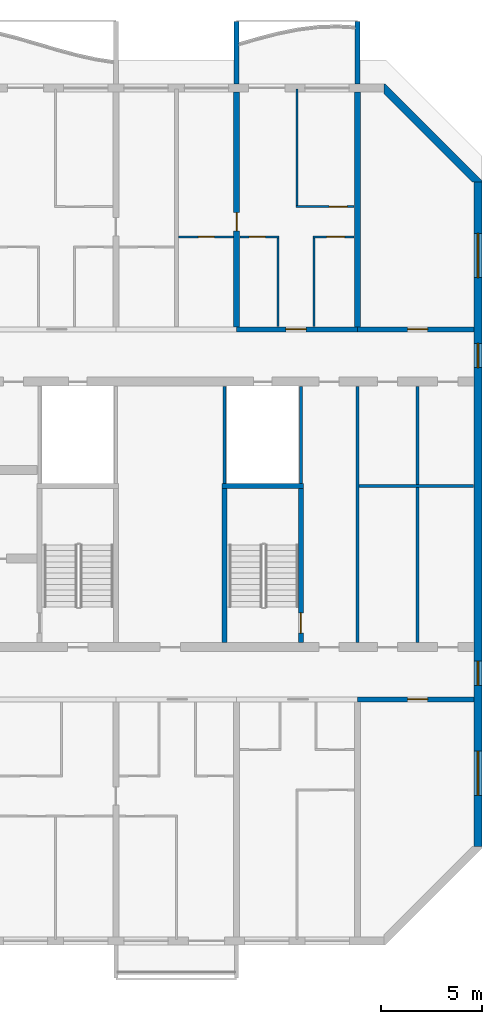
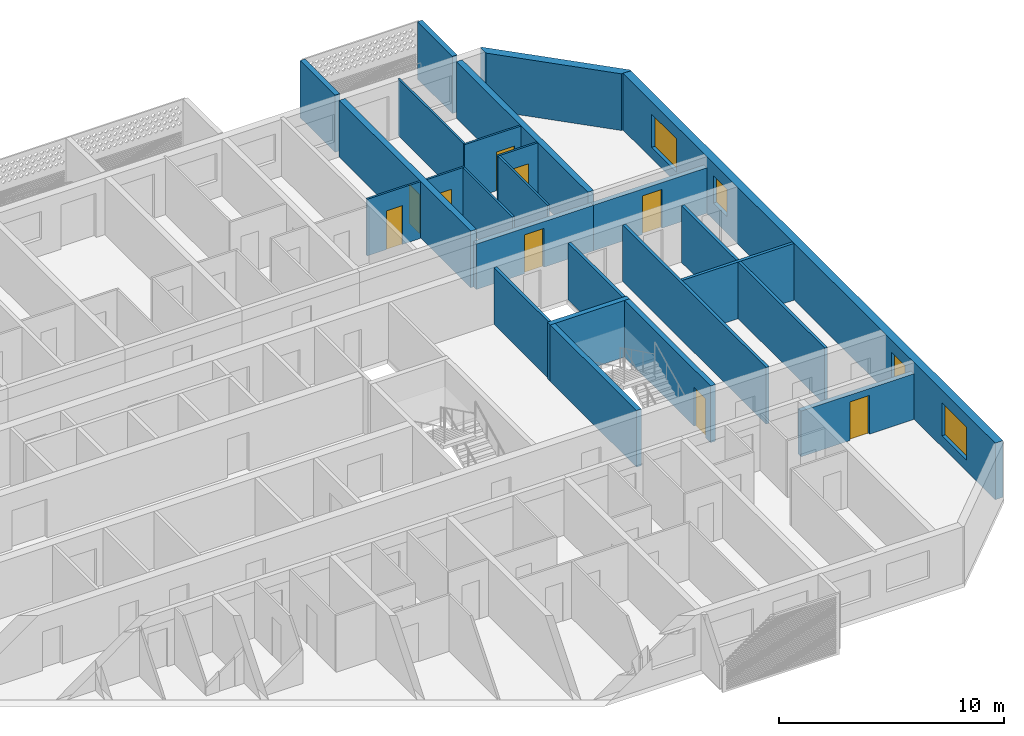
# One storey, part 12 of 32: 24 walls, 9 doors, 4 windows, 13 openings.
"""IFC4 building model written with IfcOpenShell, lengths in metres."""

from ifc_helpers import new_model, si_unit, direction, frame, frame_2d, origin, place, context, subcontext, project, spatial, polyline, rectangle, outline, extrude, source, transform, mapped, material, layer, layer_set, type_object, element, fill, save


model = new_model("IFC4")

# Units and contexts
model_context = context("Model", 3, precision=1e-05, world=origin(), true_north=direction((0.0, 1.0)))
body_context = subcontext(model_context, "Body", "Model", "MODEL_VIEW")
ifc_project = project(units=[si_unit("LENGTHUNIT", "METRE"), si_unit("AREAUNIT", "SQUARE_METRE"), si_unit("VOLUMEUNIT", "CUBIC_METRE"), si_unit("PLANEANGLEUNIT", "RADIAN"), si_unit("MASSUNIT", "GRAM", prefix="KILO")], contexts=[model_context])

# Site, building, storey
site_placement = place(None, origin())
site = spatial("IfcSite", under=ifc_project, at=site_placement, CompositionType="ELEMENT")
building_placement = place(site_placement, origin())
building = spatial("IfcBuilding", under=site, at=building_placement, Name="Poui Terraces", CompositionType="ELEMENT")
storey_placement = place(building_placement, frame((0.0, 0.0, 122.39990234375)))
storey = spatial("IfcBuildingStorey", under=building, at=storey_placement, Name="L33", CompositionType="ELEMENT", Elevation=122.39990234375)

# Wall
ifc_material_1 = material(Name="Fire-rated plasterboard wall")
ifc_layer_1 = layer(ifc_material_1, 0.14990234375)
ifc_layer_set_1 = layer_set([ifc_layer_1], Name="Fire-rated plasterboard wall")
wall_type_1 = type_object("IfcWallType", Name="CORRIDOR WALL 150", PredefinedType="PARTITIONING", material=ifc_layer_set_1)
wall_1_placement = place(storey_placement, frame((84.0, 14.8349609375, 0.0), z_axis=(0.0, 0.0, 1.0), x_axis=(0.0, 1.0, 0.0)))
element("IfcWall", 1, at=wall_1_placement, inside=storey, type_object=wall_type_1, Name="CORRIDOR WALL 150", PredefinedType="PARTITIONING", context=body_context, shape_type="SweptSolid", body=[
    extrude(rectangle(XDim=12.72998046875, YDim=0.14990234375, at=frame_2d((6.364990234375, 0.0))), origin(), (0.0, 0.0, 1.0), 3.070068359375),
])

# Wall, opening, door
ifc_material_2 = material(Name="Concrete 65 MPa", Category="concrete")
ifc_layer_2 = layer(ifc_material_2, 0.25)
ifc_layer_set_2 = layer_set([ifc_layer_2], Name="Concrete 65 MPa")
wall_type_2 = type_object("IfcWallType", Name="CORRIDOR WALL 250 65MPa", PredefinedType="SHEAR", material=ifc_layer_set_2)
wall_2_placement = place(storey_placement, frame((84.0, 12.0, 0.0), z_axis=(0.0, 0.0, 1.0), x_axis=(1.0, 0.0, 0.0)))
wall_2 = element("IfcWall", 2, at=wall_2_placement, inside=storey, type_object=wall_type_2, Name="CORRIDOR WALL LINE B BAY 13", PredefinedType="SHEAR", context=body_context, shape_type="SweptSolid", body=[
    extrude(rectangle(XDim=5.800048828125, YDim=0.25, at=frame_2d((2.89990234375, 0.0))), origin(), (0.0, 0.0, 1.0), 2.47021484375),
])
opening_1_placement = place(wall_2_placement, frame((2.5, 0.0, 0.0)))
opening_1 = element("IfcOpeningElement", 3, at=opening_1_placement, cuts=wall_2, Name="Opening D100", PredefinedType="OPENING", context=body_context, shape_type="SweptSolid", body=[
    extrude(rectangle(XDim=1.0, YDim=2.10009765625, at=frame_2d((0.5, 1.050048828125))), frame((0.0, 0.135009765625, 0.0), z_axis=(0.0, -1.0, 0.0), x_axis=(1.0, 0.0, 0.0)), (0.0, 0.0, 1.0), 0.27001953125),
])
ifc_material_3 = material(Name="Solid core timber door", Category="wood")
door_type_1 = type_object("IfcDoorType", Name="ACCESSIBLE INTERNAL DOOR 1000 X 2100", OperationType="NOTDEFINED", PredefinedType="DOOR", material=ifc_material_3)
door_1_placement = place(opening_1_placement, frame((1.0, 0.0, 0.0), z_axis=(0.0, 0.0, 1.0), x_axis=(-1.0, 0.0, 0.0)))
door_1 = element("IfcDoor", 4, at=door_1_placement, inside=storey, type_object=door_type_1, Name="ACCESSIBLE INTERNAL DOOR 120", OperationType="SINGLE_SWING_RIGHT", OverallHeight=2.10009765625, OverallWidth=1.0, PredefinedType="DOOR", context=body_context, shape_type="SweptSolid", body=[
    extrude(rectangle(XDim=1.0, YDim=2.10009765625, at=frame_2d((0.5, 1.050048828125))), frame((0.0, 0.02490234375, 0.0), z_axis=(0.0, -1.0, 0.0), x_axis=(1.0, 0.0, 0.0)), (0.0, 0.0, 1.0), 0.050048828125),
])
fill(opening_1, door_1)

wall_3_placement = place(storey_placement, frame((78.0, 30.39990234375, 0.0), z_axis=(0.0, 0.0, 1.0), x_axis=(1.0, 0.0, 0.0)))
wall_3 = element("IfcWall", 5, at=wall_3_placement, inside=storey, type_object=wall_type_2, Name="CORRIDOR WALL LINE E BAY 12", PredefinedType="SHEAR", context=body_context, shape_type="SweptSolid", body=[
    extrude(rectangle(XDim=6.0, YDim=0.25, at=frame_2d((3.0, 0.0))), origin(), (0.0, 0.0, 1.0), 2.47021484375),
])
opening_2_placement = place(wall_3_placement, frame((2.449951171875, 0.0, 0.0)))
opening_2 = element("IfcOpeningElement", 6, at=opening_2_placement, cuts=wall_3, Name="Opening FD30S", PredefinedType="OPENING", context=body_context, shape_type="SweptSolid", body=[
    extrude(rectangle(XDim=1.0, YDim=2.10009765625, at=frame_2d((0.5, 1.050048828125))), frame((0.0, 0.135009765625, 0.0), z_axis=(0.0, -1.0, 0.0), x_axis=(1.0, 0.0, 0.0)), (0.0, 0.0, 1.0), 0.27001953125),
])
ifc_material_4 = material(Name="Steel fire door", Category="steel")
door_type_2 = type_object("IfcDoorType", Name="FLAT ENTRANCE DOOR 1000 X 2100", OperationType="NOTDEFINED", PredefinedType="DOOR", material=ifc_material_4)
door_2_placement = place(opening_2_placement, origin())
door_2 = element("IfcDoor", 7, at=door_2_placement, inside=storey, type_object=door_type_2, Name="FLAT ENTRANCE DOOR 074", OperationType="SINGLE_SWING_LEFT", OverallHeight=2.10009765625, OverallWidth=1.0, PredefinedType="DOOR", context=body_context, shape_type="SweptSolid", body=[
    extrude(rectangle(XDim=1.0, YDim=2.10009765625, at=frame_2d((0.5, 1.050048828125))), frame((0.0, 0.02490234375, 0.0), z_axis=(0.0, -1.0, 0.0), x_axis=(1.0, 0.0, 0.0)), (0.0, 0.0, 1.0), 0.050048828125),
])
fill(opening_2, door_2)

wall_4_placement = place(storey_placement, frame((84.0, 30.39990234375, 0.0), z_axis=(0.0, 0.0, 1.0), x_axis=(1.0, 0.0, 0.0)))
wall_4 = element("IfcWall", 8, at=wall_4_placement, inside=storey, type_object=wall_type_2, Name="CORRIDOR WALL LINE E BAY 13", PredefinedType="SHEAR", context=body_context, shape_type="SweptSolid", body=[
    extrude(rectangle(XDim=5.800048828125, YDim=0.25, at=frame_2d((2.89990234375, 0.0))), origin(), (0.0, 0.0, 1.0), 2.47021484375),
])
opening_3_placement = place(wall_4_placement, frame((2.5, 0.0, 0.0)))
opening_3 = element("IfcOpeningElement", 9, at=opening_3_placement, cuts=wall_4, Name="Opening D100", PredefinedType="OPENING", context=body_context, shape_type="SweptSolid", body=[
    extrude(rectangle(XDim=1.0, YDim=2.10009765625, at=frame_2d((0.5, 1.050048828125))), frame((0.0, 0.135009765625, 0.0), z_axis=(0.0, -1.0, 0.0), x_axis=(1.0, 0.0, 0.0)), (0.0, 0.0, 1.0), 0.27001953125),
])
door_3_placement = place(opening_3_placement, origin())
door_3 = element("IfcDoor", 10, at=door_3_placement, inside=storey, type_object=door_type_1, Name="ACCESSIBLE INTERNAL DOOR 077", OperationType="SINGLE_SWING_LEFT", OverallHeight=2.10009765625, OverallWidth=1.0, PredefinedType="DOOR", context=body_context, shape_type="SweptSolid", body=[
    extrude(rectangle(XDim=1.0, YDim=2.10009765625, at=frame_2d((0.5, 1.050048828125))), frame((0.0, 0.02490234375, 0.0), z_axis=(0.0, -1.0, 0.0), x_axis=(1.0, 0.0, 0.0)), (0.0, 0.0, 1.0), 0.050048828125),
])
fill(opening_3, door_3)

ifc_layer_3 = layer(ifc_material_2, 0.300048828125)
ifc_layer_set_3 = layer_set([ifc_layer_3], Name="Concrete 65 MPa")
wall_type_3 = type_object("IfcWallType", Name="CROSS WALL 300 65MPa", PredefinedType="SHEAR", material=ifc_layer_set_3)
wall_5_placement = place(storey_placement, frame((78.0, 30.52490234375, 0.0), z_axis=(0.0, 0.0, 1.0), x_axis=(0.0, 1.0, 0.0)))
wall_5 = element("IfcWall", 11, at=wall_5_placement, inside=storey, type_object=wall_type_3, Name="CROSS WALL LINE 14 NORTH", PredefinedType="SHEAR", context=body_context, shape_type="SweptSolid", body=[
    extrude(rectangle(XDim=11.675048828125, YDim=0.300048828125, at=frame_2d((5.83740234375, 0.0))), origin(), (0.0, 0.0, 1.0), 3.070068359375),
])
opening_4_placement = place(wall_5_placement, frame((4.77490234375, 0.0, 0.0)))
opening_4 = element("IfcOpeningElement", 12, at=opening_4_placement, cuts=wall_5, Name="Opening D90", PredefinedType="OPENING", context=body_context, shape_type="SweptSolid", body=[
    extrude(rectangle(XDim=0.89990234375, YDim=2.10009765625, at=frame_2d((0.449951171875, 1.050048828125))), frame((0.0, 0.16015625, 0.0), z_axis=(0.0, -1.0, 0.0), x_axis=(1.0, 0.0, 0.0)), (0.0, 0.0, 1.0), 0.320068359375),
])
door_type_3 = type_object("IfcDoorType", Name="INTERNAL DOOR 900 X 2100", OperationType="NOTDEFINED", PredefinedType="DOOR", material=ifc_material_3)
door_4_placement = place(opening_4_placement, origin())
door_4 = element("IfcDoor", 13, at=door_4_placement, inside=storey, type_object=door_type_3, Name="INTERNAL DOOR 072", OperationType="SINGLE_SWING_LEFT", OverallHeight=2.10009765625, OverallWidth=0.89990234375, PredefinedType="DOOR", context=body_context, shape_type="SweptSolid", body=[
    extrude(rectangle(XDim=0.89990234375, YDim=2.10009765625, at=frame_2d((0.449951171875, 1.050048828125))), frame((0.0, 0.02490234375, 0.0), z_axis=(0.0, -1.0, 0.0), x_axis=(1.0, 0.0, 0.0)), (0.0, 0.0, 1.0), 0.050048828125),
])
fill(opening_4, door_4)

# Wall
wall_6_placement = place(storey_placement, frame((84.0, 30.52490234375, 0.0), z_axis=(0.0, 0.0, 1.0), x_axis=(0.0, 1.0, 0.0)))
element("IfcWall", 14, at=wall_6_placement, inside=storey, type_object=wall_type_3, Name="CROSS WALL LINE 15 NORTH", PredefinedType="SHEAR", context=body_context, shape_type="SweptSolid", body=[
    extrude(rectangle(XDim=11.675048828125, YDim=0.300048828125, at=frame_2d((5.83740234375, 0.0))), origin(), (0.0, 0.0, 1.0), 3.070068359375),
])

# Wall, openings, windows
ifc_layer_4 = layer(ifc_material_2, 0.39990234375)
ifc_layer_set_4 = layer_set([ifc_layer_4], Name="Concrete 65 MPa")
wall_type_4 = type_object("IfcWallType", Name="END WALL 400 65MPa", PredefinedType="SHEAR", material=ifc_layer_set_4)
wall_7_placement = place(storey_placement, frame((90.0, 4.682861328125, 0.0), z_axis=(0.0, 0.0, 1.0), x_axis=(0.0, 1.0, 0.0)))
wall_7 = element("IfcWall", 15, at=wall_7_placement, inside=storey, type_object=wall_type_4, Name="END WALL EAST", PredefinedType="SHEAR", context=body_context, shape_type="SweptSolid", body=[
    extrude(rectangle(XDim=33.034423828125, YDim=0.39990234375, at=frame_2d((16.51708984375, 0.0))), origin(), (0.0, 0.0, 1.0), 3.070068359375),
])
opening_5_placement = place(wall_7_placement, frame((23.817138671875, 0.0, 0.89990234375)))
opening_5 = element("IfcOpeningElement", 16, at=opening_5_placement, cuts=wall_7, Name="Opening W2", PredefinedType="OPENING", context=body_context, shape_type="SweptSolid", body=[
    extrude(rectangle(XDim=1.199951171875, YDim=1.5, at=frame_2d((0.60009765625, 0.75))), frame((0.0, 0.2099609375, 0.0), z_axis=(0.0, -1.0, 0.0), x_axis=(1.0, 0.0, 0.0)), (0.0, 0.0, 1.0), 0.419921875),
])
opening_6_placement = place(wall_7_placement, frame((8.01708984375, 0.0, 0.89990234375)))
opening_6 = element("IfcOpeningElement", 17, at=opening_6_placement, cuts=wall_7, Name="Opening W2", PredefinedType="OPENING", context=body_context, shape_type="SweptSolid", body=[
    extrude(rectangle(XDim=1.199951171875, YDim=1.5, at=frame_2d((0.60009765625, 0.75))), frame((0.0, 0.2099609375, 0.0), z_axis=(0.0, -1.0, 0.0), x_axis=(1.0, 0.0, 0.0)), (0.0, 0.0, 1.0), 0.419921875),
])
opening_7_placement = place(wall_7_placement, frame((28.29345703125, 0.0, 0.60009765625)))
opening_7 = element("IfcOpeningElement", 18, at=opening_7_placement, cuts=wall_7, Name="Opening W3", PredefinedType="OPENING", context=body_context, shape_type="SweptSolid", body=[
    extrude(rectangle(XDim=2.199951171875, YDim=1.800048828125, at=frame_2d((1.10009765625, 0.89990234375))), frame((0.0, 0.2099609375, 0.0), z_axis=(0.0, -1.0, 0.0), x_axis=(1.0, 0.0, 0.0)), (0.0, 0.0, 1.0), 0.419921875),
])
opening_8_placement = place(wall_7_placement, frame((2.541015625, 0.0, 0.60009765625)))
opening_8 = element("IfcOpeningElement", 19, at=opening_8_placement, cuts=wall_7, Name="Opening W3", PredefinedType="OPENING", context=body_context, shape_type="SweptSolid", body=[
    extrude(rectangle(XDim=2.199951171875, YDim=1.800048828125, at=frame_2d((1.10009765625, 0.89990234375))), frame((0.0, 0.2099609375, 0.0), z_axis=(0.0, -1.0, 0.0), x_axis=(1.0, 0.0, 0.0)), (0.0, 0.0, 1.0), 0.419921875),
])
ifc_material_5 = material(Name="Clear glass in aluminium frame", Category="aluminium")
window_type_1 = type_object("IfcWindowType", Name="WINDOW 1200X1500", PartitioningType="SINGLE_PANEL", PredefinedType="WINDOW", material=ifc_material_5)
window_1_placement = place(opening_5_placement, origin())
window_1 = element("IfcWindow", 20, at=window_1_placement, inside=storey, type_object=window_type_1, Name="W2 WINDOW", OverallHeight=1.5, OverallWidth=1.199951171875, PartitioningType="SINGLE_PANEL", PredefinedType="WINDOW", context=body_context, shape_type="SweptSolid", body=[
    extrude(rectangle(XDim=1.199951171875, YDim=1.5, at=frame_2d((0.60009765625, 0.75))), frame((0.0, 0.030029296875, 0.0), z_axis=(0.0, -1.0, 0.0), x_axis=(1.0, 0.0, 0.0)), (0.0, 0.0, 1.0), 0.06005859375),
])
fill(opening_5, window_1)
window_2_placement = place(opening_6_placement, origin())
window_2 = element("IfcWindow", 21, at=window_2_placement, inside=storey, type_object=window_type_1, Name="W2 WINDOW", OverallHeight=1.5, OverallWidth=1.199951171875, PartitioningType="SINGLE_PANEL", PredefinedType="WINDOW", context=body_context, shape_type="SweptSolid", body=[
    extrude(rectangle(XDim=1.199951171875, YDim=1.5, at=frame_2d((0.60009765625, 0.75))), frame((0.0, 0.030029296875, 0.0), z_axis=(0.0, -1.0, 0.0), x_axis=(1.0, 0.0, 0.0)), (0.0, 0.0, 1.0), 0.06005859375),
])
fill(opening_6, window_2)
window_type_2 = type_object("IfcWindowType", Name="WINDOW 2200X1800", PartitioningType="DOUBLE_PANEL_HORIZONTAL", PredefinedType="WINDOW", material=ifc_material_5)
window_3_placement = place(opening_7_placement, origin())
window_3 = element("IfcWindow", 22, at=window_3_placement, inside=storey, type_object=window_type_2, Name="W3 WINDOW", OverallHeight=1.800048828125, OverallWidth=2.199951171875, PartitioningType="DOUBLE_PANEL_HORIZONTAL", PredefinedType="WINDOW", context=body_context, shape_type="SweptSolid", body=[
    extrude(rectangle(XDim=2.199951171875, YDim=1.800048828125, at=frame_2d((1.10009765625, 0.89990234375))), frame((0.0, 0.030029296875, 0.0), z_axis=(0.0, -1.0, 0.0), x_axis=(1.0, 0.0, 0.0)), (0.0, 0.0, 1.0), 0.06005859375),
])
fill(opening_7, window_3)
window_4_placement = place(opening_8_placement, origin())
window_4 = element("IfcWindow", 23, at=window_4_placement, inside=storey, type_object=window_type_2, Name="W3 WINDOW", OverallHeight=1.800048828125, OverallWidth=2.199951171875, PartitioningType="DOUBLE_PANEL_HORIZONTAL", PredefinedType="WINDOW", context=body_context, shape_type="SweptSolid", body=[
    extrude(rectangle(XDim=2.199951171875, YDim=1.800048828125, at=frame_2d((1.10009765625, 0.89990234375))), frame((0.0, 0.030029296875, 0.0), z_axis=(0.0, -1.0, 0.0), x_axis=(1.0, 0.0, 0.0)), (0.0, 0.0, 1.0), 0.06005859375),
])
fill(opening_8, window_4)

# Wall, opening, door
ifc_material_6 = material(Name="Plasterboard partition")
ifc_layer_5 = layer(ifc_material_6, 0.10009765625)
ifc_layer_set_5 = layer_set([ifc_layer_5], Name="Plasterboard partition")
wall_type_5 = type_object("IfcWallType", Name="FLAT PARTITION 100", PredefinedType="PARTITIONING", material=ifc_layer_set_5)
wall_8_placement = place(storey_placement, frame((75.10009765625, 35.0, 0.0), z_axis=(0.0, 0.0, 1.0), x_axis=(1.0, 0.0, 0.0)))
wall_8 = element("IfcWall", 24, at=wall_8_placement, inside=storey, type_object=wall_type_5, Name="FLAT PARTITION 100", PredefinedType="PARTITIONING", context=body_context, shape_type="SweptSolid", body=[
    extrude(rectangle(XDim=2.739990234375, YDim=0.10009765625, at=frame_2d((1.3701171875, 0.0))), origin(), (0.0, 0.0, 1.0), 3.070068359375),
])
opening_9_placement = place(wall_8_placement, frame((1.0, 0.0, 0.0)))
opening_9 = element("IfcOpeningElement", 25, at=opening_9_placement, cuts=wall_8, Name="Opening D80", PredefinedType="OPENING", context=body_context, shape_type="SweptSolid", body=[
    extrude(rectangle(XDim=0.800048828125, YDim=2.10009765625, at=frame_2d((0.39990234375, 1.050048828125))), frame((0.0, 0.06005859375, 0.0), z_axis=(0.0, -1.0, 0.0), x_axis=(1.0, 0.0, 0.0)), (0.0, 0.0, 1.0), 0.1201171875),
])
door_type_4 = type_object("IfcDoorType", Name="BATHROOM, LAUNDRY AND STORE DOOR 800 X 2100", OperationType="NOTDEFINED", PredefinedType="DOOR", material=ifc_material_3)
door_5_placement = place(opening_9_placement, frame((0.800048828125, 0.0, 0.0), z_axis=(0.0, 0.0, 1.0), x_axis=(-1.0, 0.0, 0.0)))
door_5 = element("IfcDoor", 26, at=door_5_placement, inside=storey, type_object=door_type_4, Name="BATHROOM, LAUNDRY AND STORE DOOR 071", OperationType="SINGLE_SWING_RIGHT", OverallHeight=2.10009765625, OverallWidth=0.800048828125, PredefinedType="DOOR", context=body_context, shape_type="SweptSolid", body=[
    extrude(rectangle(XDim=0.800048828125, YDim=2.10009765625, at=frame_2d((0.39990234375, 1.050048828125))), frame((0.0, 0.02490234375, 0.0), z_axis=(0.0, -1.0, 0.0), x_axis=(1.0, 0.0, 0.0)), (0.0, 0.0, 1.0), 0.050048828125),
])
fill(opening_9, door_5)

wall_9_placement = place(storey_placement, frame((78.159912109375, 35.0, 0.0), z_axis=(0.0, 0.0, 1.0), x_axis=(1.0, 0.0, 0.0)))
wall_9 = element("IfcWall", 27, at=wall_9_placement, inside=storey, type_object=wall_type_5, Name="FLAT PARTITION 100", PredefinedType="PARTITIONING", context=body_context, shape_type="SweptSolid", body=[
    extrude(rectangle(XDim=1.940185546875, YDim=0.10009765625, at=frame_2d((0.97021484375, 0.0))), origin(), (0.0, 0.0, 1.0), 3.070068359375),
])
opening_10_placement = place(wall_9_placement, frame((0.465087890625, 0.0, 0.0)))
opening_10 = element("IfcOpeningElement", 28, at=opening_10_placement, cuts=wall_9, Name="Opening D80", PredefinedType="OPENING", context=body_context, shape_type="SweptSolid", body=[
    extrude(rectangle(XDim=0.800048828125, YDim=2.10009765625, at=frame_2d((0.39990234375, 1.050048828125))), frame((0.0, 0.06005859375, 0.0), z_axis=(0.0, -1.0, 0.0), x_axis=(1.0, 0.0, 0.0)), (0.0, 0.0, 1.0), 0.1201171875),
])
door_6_placement = place(opening_10_placement, frame((0.800048828125, 0.0, 0.0), z_axis=(0.0, 0.0, 1.0), x_axis=(-1.0, 0.0, 0.0)))
door_6 = element("IfcDoor", 29, at=door_6_placement, inside=storey, type_object=door_type_4, Name="BATHROOM, LAUNDRY AND STORE DOOR 073", OperationType="SINGLE_SWING_RIGHT", OverallHeight=2.10009765625, OverallWidth=0.800048828125, PredefinedType="DOOR", context=body_context, shape_type="SweptSolid", body=[
    extrude(rectangle(XDim=0.800048828125, YDim=2.10009765625, at=frame_2d((0.39990234375, 1.050048828125))), frame((0.0, 0.02490234375, 0.0), z_axis=(0.0, -1.0, 0.0), x_axis=(1.0, 0.0, 0.0)), (0.0, 0.0, 1.0), 0.050048828125),
])
fill(opening_10, door_6)

wall_10_placement = place(storey_placement, frame((81.800048828125, 35.0, 0.0), z_axis=(0.0, 0.0, 1.0), x_axis=(1.0, 0.0, 0.0)))
wall_10 = element("IfcWall", 30, at=wall_10_placement, inside=storey, type_object=wall_type_5, Name="FLAT PARTITION 100", PredefinedType="PARTITIONING", context=body_context, shape_type="SweptSolid", body=[
    extrude(rectangle(XDim=2.0400390625, YDim=0.10009765625, at=frame_2d((1.02001953125, 0.0))), origin(), (0.0, 0.0, 1.0), 3.070068359375),
])
opening_11_placement = place(wall_10_placement, frame((0.675048828125, 0.0, 0.0)))
opening_11 = element("IfcOpeningElement", 31, at=opening_11_placement, cuts=wall_10, Name="Opening D90", PredefinedType="OPENING", context=body_context, shape_type="SweptSolid", body=[
    extrude(rectangle(XDim=0.89990234375, YDim=2.10009765625, at=frame_2d((0.449951171875, 1.050048828125))), frame((0.0, 0.06005859375, 0.0), z_axis=(0.0, -1.0, 0.0), x_axis=(1.0, 0.0, 0.0)), (0.0, 0.0, 1.0), 0.1201171875),
])
door_7_placement = place(opening_11_placement, frame((0.89990234375, 0.0, 0.0), z_axis=(0.0, 0.0, 1.0), x_axis=(-1.0, 0.0, 0.0)))
door_7 = element("IfcDoor", 32, at=door_7_placement, inside=storey, type_object=door_type_3, Name="INTERNAL DOOR 075", OperationType="SINGLE_SWING_LEFT", OverallHeight=2.10009765625, OverallWidth=0.89990234375, PredefinedType="DOOR", context=body_context, shape_type="SweptSolid", body=[
    extrude(rectangle(XDim=0.89990234375, YDim=2.10009765625, at=frame_2d((0.449951171875, 1.050048828125))), frame((0.0, 0.02490234375, 0.0), z_axis=(0.0, -1.0, 0.0), x_axis=(1.0, 0.0, 0.0)), (0.0, 0.0, 1.0), 0.050048828125),
])
fill(opening_11, door_7)

wall_11_placement = place(storey_placement, frame((80.949951171875, 36.5, 0.0), z_axis=(0.0, 0.0, 1.0), x_axis=(1.0, 0.0, 0.0)))
wall_11 = element("IfcWall", 33, at=wall_11_placement, inside=storey, type_object=wall_type_5, Name="FLAT PARTITION 100", PredefinedType="PARTITIONING", context=body_context, shape_type="SweptSolid", body=[
    extrude(rectangle(XDim=2.89013671875, YDim=0.10009765625, at=frame_2d((1.445068359375, 0.0))), origin(), (0.0, 0.0, 1.0), 3.070068359375),
])
opening_12_placement = place(wall_11_placement, frame((1.64990234375, 0.0, 0.0)))
opening_12 = element("IfcOpeningElement", 34, at=opening_12_placement, cuts=wall_11, Name="Opening D90", PredefinedType="OPENING", context=body_context, shape_type="SweptSolid", body=[
    extrude(rectangle(XDim=0.89990234375, YDim=2.10009765625, at=frame_2d((0.449951171875, 1.050048828125))), frame((0.0, 0.06005859375, 0.0), z_axis=(0.0, -1.0, 0.0), x_axis=(1.0, 0.0, 0.0)), (0.0, 0.0, 1.0), 0.1201171875),
])
door_8_placement = place(opening_12_placement, frame((0.89990234375, 0.0, 0.0), z_axis=(0.0, 0.0, 1.0), x_axis=(-1.0, 0.0, 0.0)))
door_8 = element("IfcDoor", 35, at=door_8_placement, inside=storey, type_object=door_type_3, Name="INTERNAL DOOR 076", OperationType="SINGLE_SWING_RIGHT", OverallHeight=2.10009765625, OverallWidth=0.89990234375, PredefinedType="DOOR", context=body_context, shape_type="SweptSolid", body=[
    extrude(rectangle(XDim=0.89990234375, YDim=2.10009765625, at=frame_2d((0.449951171875, 1.050048828125))), frame((0.0, 0.02490234375, 0.0), z_axis=(0.0, -1.0, 0.0), x_axis=(1.0, 0.0, 0.0)), (0.0, 0.0, 1.0), 0.050048828125),
])
fill(opening_12, door_8)

# Walls
wall_12_placement = place(storey_placement, frame((80.050048828125, 30.534912109375, 0.0), z_axis=(0.0, 0.0, 1.0), x_axis=(0.0, 1.0, 0.0)))
element("IfcWall", 36, at=wall_12_placement, inside=storey, type_object=wall_type_5, Name="FLAT PARTITION 100", PredefinedType="PARTITIONING", context=body_context, shape_type="SweptSolid", body=[
    extrude(rectangle(XDim=4.4150390625, YDim=0.10009765625, at=frame_2d((2.20751953125, 0.0))), origin(), (0.0, 0.0, 1.0), 3.070068359375),
])
wall_13_placement = place(storey_placement, frame((81.0, 36.550048828125, 0.0), z_axis=(0.0, 0.0, 1.0), x_axis=(0.0, 1.0, 0.0)))
element("IfcWall", 37, at=wall_13_placement, inside=storey, type_object=wall_type_5, Name="FLAT PARTITION 100", PredefinedType="PARTITIONING", context=body_context, shape_type="SweptSolid", body=[
    extrude(rectangle(XDim=5.7900390625, YDim=0.10009765625, at=frame_2d((2.89501953125, 0.0))), origin(), (0.0, 0.0, 1.0), 3.070068359375),
])
wall_14_placement = place(storey_placement, frame((81.85009765625, 30.534912109375, 0.0), z_axis=(0.0, 0.0, 1.0), x_axis=(0.0, 1.0, 0.0)))
element("IfcWall", 38, at=wall_14_placement, inside=storey, type_object=wall_type_5, Name="FLAT PARTITION 100", PredefinedType="PARTITIONING", context=body_context, shape_type="SweptSolid", body=[
    extrude(rectangle(XDim=4.4150390625, YDim=0.10009765625, at=frame_2d((2.20751953125, 0.0))), origin(), (0.0, 0.0, 1.0), 3.070068359375),
])
ifc_layer_6 = layer(ifc_material_6, 0.14990234375)
ifc_layer_set_6 = layer_set([ifc_layer_6], Name="Plasterboard partition")
wall_type_6 = type_object("IfcWallType", Name="PARTITION WALL 150", PredefinedType="PARTITIONING", material=ifc_layer_set_6)
wall_15_placement = place(storey_placement, frame((84.074951171875, 22.60009765625, 0.0), z_axis=(0.0, 0.0, 1.0), x_axis=(1.0, 0.0, 0.0)))
element("IfcWall", 39, at=wall_15_placement, inside=storey, type_object=wall_type_6, Name="PARTITION WALL 150", PredefinedType="PARTITIONING", context=body_context, shape_type="SweptSolid", body=[
    extrude(rectangle(XDim=5.715087890625, YDim=0.14990234375, at=frame_2d((2.857421875, 0.0))), origin(), (0.0, 0.0, 1.0), 3.070068359375),
])
wall_16_placement = place(storey_placement, frame((87.0, 14.8349609375, 0.0), z_axis=(0.0, 0.0, 1.0), x_axis=(0.0, 1.0, 0.0)))
element("IfcWall", 40, at=wall_16_placement, inside=storey, type_object=wall_type_6, Name="PARTITION WALL 150", PredefinedType="PARTITIONING", context=body_context, shape_type="SweptSolid", body=[
    extrude(rectangle(XDim=12.72998046875, YDim=0.14990234375, at=frame_2d((6.364990234375, 0.0))), origin(), (0.0, 0.0, 1.0), 3.070068359375),
])
ifc_material_7 = material(Name="Fire-rated plasterboard riser wall")
ifc_layer_7 = layer(ifc_material_7, 0.14990234375)
ifc_layer_set_7 = layer_set([ifc_layer_7], Name="Fire-rated plasterboard riser wall")
wall_type_7 = type_object("IfcWallType", Name="RISER WALL 150", PredefinedType="PARTITIONING", material=ifc_layer_set_7)
for number, where, z_axis, x_axis, name in (
    (41, (77.39990234375, 22.735107421875, 0.0), (0.0, 0.0, 1.0), (0.0, 1.0, 0.0), "RISER WALL 150"),
    (42, (81.199951171875, 22.735107421875, 0.0), (0.0, 0.0, 1.0), (0.0, 1.0, 0.0), "RISER WALL 150"),
):
    element("IfcWall", number, at=place(storey_placement, frame(where, z_axis=z_axis, x_axis=x_axis)), inside=storey, type_object=wall_type_7, Name=name, PredefinedType="PARTITIONING", context=body_context, shape_type="SweptSolid", body=[
        extrude(rectangle(XDim=4.829833984375, YDim=0.14990234375, at=frame_2d((2.4150390625, 0.0))), origin(), (0.0, 0.0, 1.0), 3.070068359375),
    ])
ifc_layer_8 = layer(ifc_material_2, 0.25)
ifc_layer_set_8 = layer_set([ifc_layer_8], Name="Concrete 65 MPa")
wall_type_8 = type_object("IfcWallType", Name="STAIR CORE WALL 250 65 MPA", PredefinedType="SOLIDWALL", material=ifc_layer_set_8)
wall_17_placement = place(storey_placement, frame((77.39990234375, 14.824951171875, 0.0), z_axis=(0.0, 0.0, 1.0), x_axis=(0.0, 1.0, 0.0)))
element("IfcWall", 43, at=wall_17_placement, inside=storey, type_object=wall_type_8, Name="STAIR CORE WALL", PredefinedType="SOLIDWALL", context=body_context, shape_type="SweptSolid", body=[
    extrude(rectangle(XDim=7.650146484375, YDim=0.25, at=frame_2d((3.8251953125, 0.0))), origin(), (0.0, 0.0, 1.0), 3.070068359375),
])

# Wall, opening, door
wall_18_placement = place(storey_placement, frame((81.199951171875, 14.824951171875, 0.0), z_axis=(0.0, 0.0, 1.0), x_axis=(0.0, 1.0, 0.0)))
wall_18 = element("IfcWall", 44, at=wall_18_placement, inside=storey, type_object=wall_type_8, Name="STAIR CORE WALL", PredefinedType="SOLIDWALL", context=body_context, shape_type="SweptSolid", body=[
    extrude(rectangle(XDim=7.650146484375, YDim=0.25, at=frame_2d((3.8251953125, 0.0))), origin(), (0.0, 0.0, 1.0), 3.070068359375),
])
opening_13_placement = place(wall_18_placement, frame((0.47509765625, 0.0, 0.0)))
opening_13 = element("IfcOpeningElement", 45, at=opening_13_placement, cuts=wall_18, Name="Opening FD60S", PredefinedType="OPENING", context=body_context, shape_type="SweptSolid", body=[
    extrude(rectangle(XDim=1.0, YDim=2.10009765625, at=frame_2d((0.5, 1.050048828125))), frame((0.0, 0.135009765625, 0.0), z_axis=(0.0, -1.0, 0.0), x_axis=(1.0, 0.0, 0.0)), (0.0, 0.0, 1.0), 0.27001953125),
])
door_type_5 = type_object("IfcDoorType", Name="STAIR DOOR 1000 X 2100", OperationType="NOTDEFINED", PredefinedType="DOOR", material=ifc_material_4)
door_9_placement = place(opening_13_placement, origin())
door_9 = element("IfcDoor", 46, at=door_9_placement, inside=storey, type_object=door_type_5, Name="STAIR DOOR 136", OperationType="SINGLE_SWING_LEFT", OverallHeight=2.10009765625, OverallWidth=1.0, PredefinedType="DOOR", context=body_context, shape_type="SweptSolid", body=[
    extrude(rectangle(XDim=1.0, YDim=2.10009765625, at=frame_2d((0.5, 1.050048828125))), frame((0.0, 0.02490234375, 0.0), z_axis=(0.0, -1.0, 0.0), x_axis=(1.0, 0.0, 0.0)), (0.0, 0.0, 1.0), 0.050048828125),
])
fill(opening_13, door_9)

# Walls
wall_19_placement = place(storey_placement, frame((77.27490234375, 22.60009765625, 0.0), z_axis=(0.0, 0.0, 1.0), x_axis=(1.0, 0.0, 0.0)))
element("IfcWall", 47, at=wall_19_placement, inside=storey, type_object=wall_type_8, Name="STAIR CORE WALL", PredefinedType="SOLIDWALL", context=body_context, shape_type="SweptSolid", body=[
    extrude(rectangle(XDim=4.050048828125, YDim=0.25, at=frame_2d((2.02490234375, 0.0))), origin(), (0.0, 0.0, 1.0), 3.070068359375),
])
ifc_material_8 = material(Name="Precast concrete 40 MPa", Category="concrete")
ifc_layer_9 = layer(ifc_material_8, 0.39990234375)
ifc_layer_set_9 = layer_set([ifc_layer_9], Name="Precast concrete 40 MPa")
wall_type_9 = type_object("IfcWallType", Name="TERRACOTTA CLAD CHAMFER WALL 400", PredefinedType="STANDARD", material=ifc_layer_set_9)
wall_20_placement = place(storey_placement, origin())
element("IfcWall", 48, at=wall_20_placement, inside=storey, type_object=wall_type_9, Name="CHAMFER WALL CH03", PredefinedType="STANDARD", context=body_context, shape_type="SweptSolid", body=[
    extrude(outline(polyline([(90.199951171875, 37.71728515625), (90.199951171875, 37.800048828125), (85.39990234375, 42.60009765625), (85.317138671875, 42.60009765625), (85.317138671875, 42.1171875), (89.71728515625, 37.71728515625), (90.199951171875, 37.71728515625)])), origin(), (0.0, 0.0, 1.0), 3.070068359375),
])
ifc_layer_10 = layer(ifc_material_8, 0.25)
ifc_layer_set_10 = layer_set([ifc_layer_10], Name="Precast concrete 40 MPa")
wall_type_10 = type_object("IfcWallType", Name="BALCONY FIN 250", PredefinedType="STANDARD", material=ifc_layer_set_10)
shared_shape = source(origin(), body_context, "Body", "SweptSolid", [
    extrude(outline(polyline([(0.0, 0.0), (0.25, 0.0), (0.25, 3.099853515625), (0.0, 3.099853515625), (0.0, 0.0)])), origin(), (0.0, 0.0, 1.0), 3.10009765625),
])
for number, where, name in (
    (49, (77.875, 42.60009765625, 0.0), "BALCONY FIN"),
    (50, (83.875, 42.60009765625, 0.0), "BALCONY FIN"),
):
    element("IfcWall", number, at=place(storey_placement, frame(where)), inside=storey, type_object=wall_type_10, Name=name, PredefinedType="STANDARD", context=body_context, shape_type="MappedRepresentation", body=[
        mapped(shared_shape, transform((0.0, 0.0, 0.0))),
    ])

save(model, "model.ifc")
